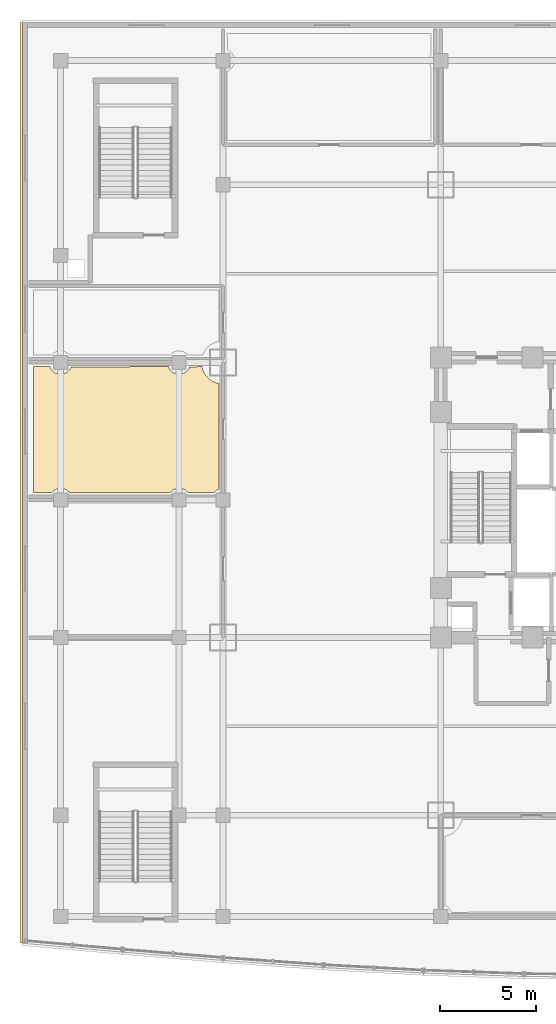
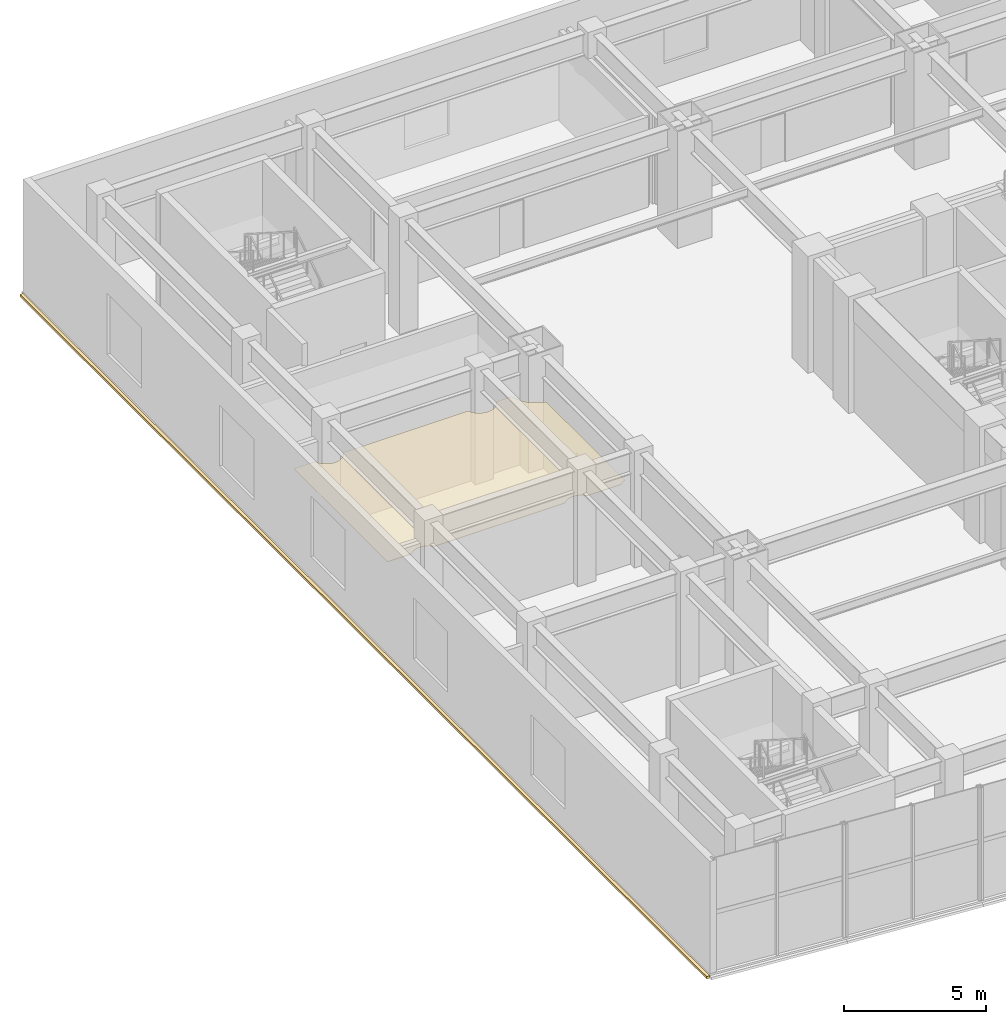
# One storey, part 17 of 24: 2 coverings.
"""IFC4 building model written with IfcOpenShell, lengths in metres."""

from ifc_helpers import new_model, si_unit, direction, frame, origin, place, context, subcontext, project, spatial, polyline, outline, extrude, material, layer, layer_set, type_object, element, save


model = new_model("IFC4")

# Units and contexts
model_context = context("Model", 3, precision=1e-05, world=origin(), true_north=direction((0.0, 1.0)))
body_context = subcontext(model_context, "Body", "Model", "MODEL_VIEW")
ifc_project = project(units=[si_unit("LENGTHUNIT", "METRE"), si_unit("AREAUNIT", "SQUARE_METRE"), si_unit("VOLUMEUNIT", "CUBIC_METRE"), si_unit("PLANEANGLEUNIT", "RADIAN"), si_unit("MASSUNIT", "GRAM", prefix="KILO")], contexts=[model_context])

# Site, building, storey
site_placement = place(None, origin())
site = spatial("IfcSite", under=ifc_project, at=site_placement, CompositionType="ELEMENT")
building_placement = place(site_placement, origin())
building = spatial("IfcBuilding", under=site, at=building_placement, Name="Vantalir Tower", CompositionType="ELEMENT")
storey_placement = place(building_placement, frame((0.0, 0.0, 11.0)))
storey = spatial("IfcBuildingStorey", under=building, at=storey_placement, Name="L02", CompositionType="ELEMENT", Elevation=11.0)

# Coverings
ifc_material_1 = material(Name="Perforated acoustic gypsum ceiling board", Category="gypsum")
ifc_layer_1 = layer(ifc_material_1, 0.02001953125)
ifc_layer_set_1 = layer_set([ifc_layer_1], Name="Perforated acoustic gypsum ceiling board")
covering_type_1 = type_object("IfcCoveringType", Name="COV-ACOUSTIC-CEIL-20", PredefinedType="CEILING", material=ifc_layer_set_1)
covering_1_placement = place(storey_placement, frame((0.0, 0.0, 3.1298828125)))
element("IfcCovering", 1, at=covering_1_placement, inside=storey, type_object=covering_type_1, Name="Level 02 Conference Room 1 Suspended Ceiling", PredefinedType="CEILING", context=body_context, shape_type="SweptSolid", body=[
    extrude(outline(polyline([(10.280029296875, 31.093994140625), (10.173095703125, 31.12109375), (10.068115234375, 31.157958984375), (9.968017578125, 31.205078125), (9.873046875, 31.261962890625), (9.783935546875, 31.327880859375), (9.701904296875, 31.402099609375), (9.6279296875, 31.48388671875), (9.56201171875, 31.572998046875), (9.5048828125, 31.66796875), (9.4580078125, 31.76806640625), (9.4208984375, 31.873046875), (9.39404296875, 31.97998046875), (8.761962890625, 31.967041015625), (8.736083984375, 31.9130859375), (8.7060546875, 31.862060546875), (8.669921875, 31.81396484375), (8.6298828125, 31.77001953125), (8.5859375, 31.72998046875), (8.5380859375, 31.694091796875), (8.487060546875, 31.6640625), (8.43310546875, 31.637939453125), (8.3759765625, 31.617919921875), (8.319091796875, 31.60400390625), (8.260009765625, 31.594970703125), (8.199951171875, 31.592041015625), (8.139892578125, 31.594970703125), (8.0810546875, 31.60400390625), (8.02392578125, 31.617919921875), (7.967041015625, 31.637939453125), (7.9130859375, 31.6640625), (7.862060546875, 31.694091796875), (7.81396484375, 31.72998046875), (7.77001953125, 31.77001953125), (7.72998046875, 31.81396484375), (7.694091796875, 31.862060546875), (7.6640625, 31.9130859375), (7.634033203125, 31.97998046875), (2.56201171875, 31.967041015625), (2.535888671875, 31.9130859375), (2.506103515625, 31.862060546875), (2.469970703125, 31.81396484375), (2.429931640625, 31.77001953125), (2.385986328125, 31.72998046875), (2.337890625, 31.694091796875), (2.287109375, 31.6640625), (2.23291015625, 31.637939453125), (2.176025390625, 31.617919921875), (2.118896484375, 31.60400390625), (2.06005859375, 31.594970703125), (2.0, 31.592041015625), (1.93994140625, 31.594970703125), (1.881103515625, 31.60400390625), (1.823974609375, 31.617919921875), (1.76708984375, 31.637939453125), (1.712890625, 31.6640625), (1.662109375, 31.694091796875), (1.614013671875, 31.72998046875), (1.570068359375, 31.77001953125), (1.530029296875, 31.81396484375), (1.493896484375, 31.862060546875), (1.464111328125, 31.9130859375), (1.43408203125, 31.97998046875), (0.570068359375, 31.97998046875), (0.570068359375, 25.39990234375), (1.54296875, 25.39990234375), (1.570068359375, 25.429931640625), (1.614013671875, 25.469970703125), (1.662109375, 25.506103515625), (1.712890625, 25.535888671875), (1.76708984375, 25.56201171875), (1.823974609375, 25.58203125), (1.881103515625, 25.595947265625), (1.93994140625, 25.60498046875), (2.0, 25.60791015625), (2.06005859375, 25.60498046875), (2.118896484375, 25.595947265625), (2.176025390625, 25.58203125), (2.23291015625, 25.56201171875), (2.287109375, 25.535888671875), (2.337890625, 25.506103515625), (2.385986328125, 25.469970703125), (2.429931640625, 25.429931640625), (2.45703125, 25.39990234375), (7.742919921875, 25.39990234375), (7.77001953125, 25.429931640625), (7.81396484375, 25.469970703125), (7.862060546875, 25.506103515625), (7.9130859375, 25.535888671875), (7.967041015625, 25.56201171875), (8.02392578125, 25.58203125), (8.0810546875, 25.595947265625), (8.139892578125, 25.60498046875), (8.199951171875, 25.60791015625), (8.260009765625, 25.60498046875), (8.319091796875, 25.595947265625), (8.3759765625, 25.58203125), (8.43310546875, 25.56201171875), (8.487060546875, 25.535888671875), (8.5380859375, 25.506103515625), (8.5859375, 25.469970703125), (8.6298828125, 25.429931640625), (8.656982421875, 25.39990234375), (10.04296875, 25.39990234375), (10.070068359375, 25.429931640625), (10.114013671875, 25.469970703125), (10.162109375, 25.506103515625), (10.212890625, 25.535888671875), (10.280029296875, 25.56591796875), (10.280029296875, 31.093994140625)])), origin(), (0.0, 0.0, 1.0), 0.02001953125),
])
ifc_material_2 = material(Name="Anodised champagne aluminium sill fascia", Category="aluminium")
ifc_layer_2 = layer(ifc_material_2, 0.125)
ifc_layer_set_2 = layer_set([ifc_layer_2], Name="Anodised champagne aluminium sill fascia")
covering_type_2 = type_object("IfcCoveringType", Name="COV-SLAB-FASCIA-125", PredefinedType="CLADDING", material=ifc_layer_set_2)
covering_2_placement = place(storey_placement, frame((0.0, 0.0, -0.179931640625)))
element("IfcCovering", 2, at=covering_2_placement, inside=storey, type_object=covering_type_2, Name="Level 02 Podium Slab-Edge Fascia W", PredefinedType="CLADDING", context=body_context, shape_type="SweptSolid", body=[
    extrude(outline(polyline([(-0.125, 1.800048828125), (0.0, 1.800048828125), (0.0, 50.0), (-0.125, 50.0), (-0.125, 1.800048828125)])), origin(), (0.0, 0.0, 1.0), 0.10498046875),
])

save(model, "model.ifc")
